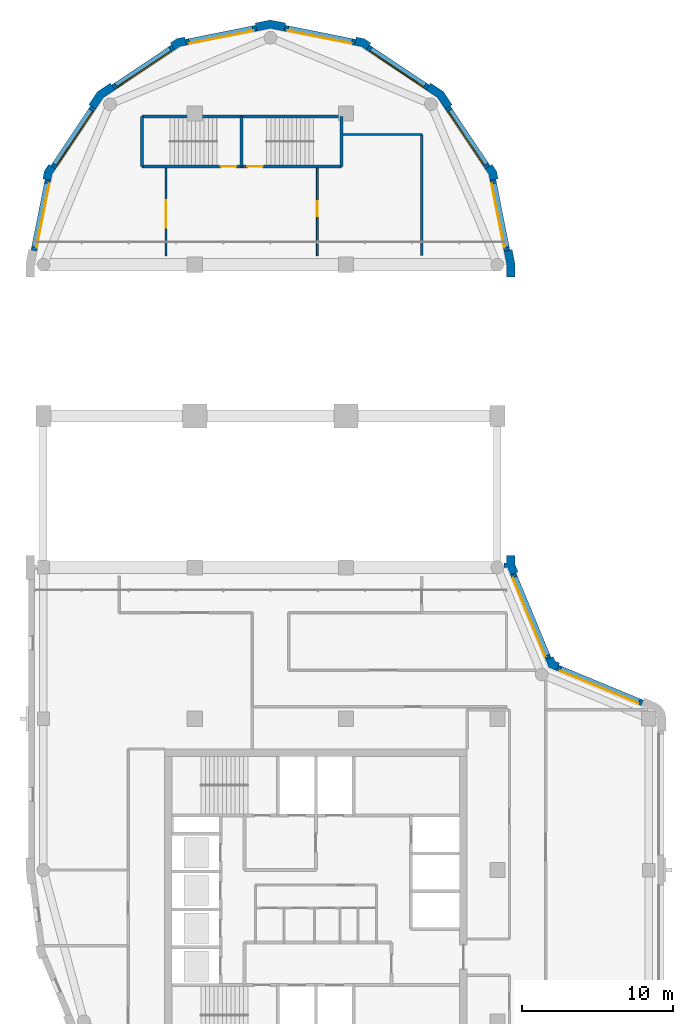
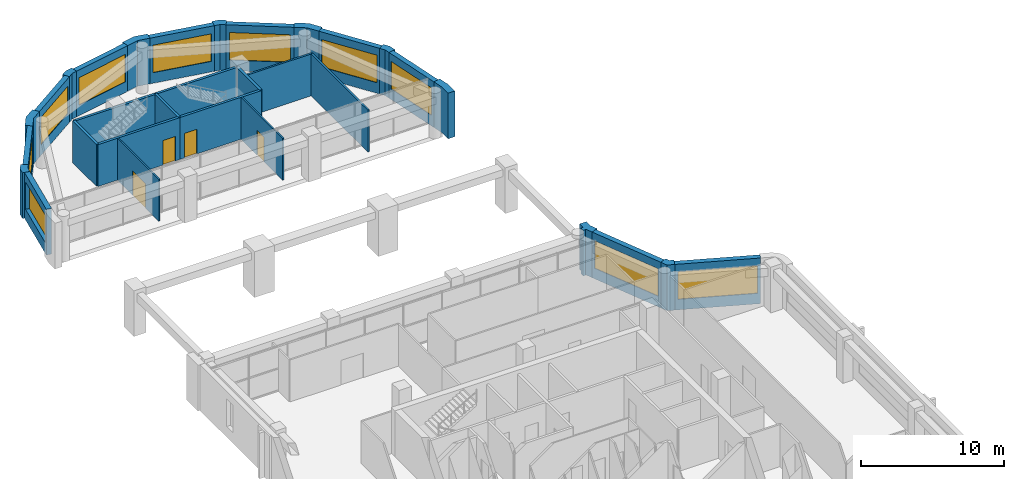
# One storey, part 8 of 11: 31 walls, 10 windows, 4 doors, 14 openings.
"""IFC4 building model written with IfcOpenShell, lengths in metres."""

import ifcopenshell
import ifcopenshell.guid

model = None  # the IFC model being written
_history = None  # IfcOwnerHistory: only IFC2X3 demands one
_inside = {}  # id of a spatial element -> (the spatial element, [elements in it])
_under = {}  # id of a project, library or spatial element -> (it, [spatial elements below it])
_declared = {}  # id of a project -> (the project, [libraries it declares])
_typed = {}  # id of a type object -> (the type object, [elements of that type])
_made_of = {}  # id of a material, layer set ... -> (it, [elements and type objects made of it])


def new_model(schema):
    """Start an empty IFC model of exactly this schema.

    Asked for "IFC4X3", IfcOpenShell would pick the latest addendum, in which some entities
    have other attributes; the version numbers below select the first issue.
    IFC2X3 requires an IfcOwnerHistory on every rooted entity: one is made here for all.
    """
    global model, _history
    if schema == "IFC4X3":
        model = ifcopenshell.file(schema_version=(4, 3, 0, 0))
    else:
        model = ifcopenshell.file(schema=schema)
    _inside.clear()
    _under.clear()
    _declared.clear()
    _typed.clear()
    _made_of.clear()
    _history = None
    if model.schema == "IFC2X3":
        org = make("IfcOrganization", Name="unknown")
        user = make(
            "IfcPersonAndOrganization",
            ThePerson=make("IfcPerson", FamilyName="unknown"),
            TheOrganization=org,
        )
        app = make(
            "IfcApplication",
            ApplicationDeveloper=org,
            Version="unknown",
            ApplicationFullName="unknown",
            ApplicationIdentifier="unknown",
        )
        _history = make(
            "IfcOwnerHistory",
            OwningUser=user,
            OwningApplication=app,
            ChangeAction="ADDED",
            CreationDate=0,
        )
    return model


def make(cls, **values):
    """One entity of the class cls with the attributes given. An attribute that is None is left unset."""
    return model.create_entity(
        cls, **{name: value for name, value in values.items() if value is not None}
    )


def rooted(cls, **values):
    """An entity with a GlobalId (a new one), such as an element, a storey or a relation."""
    return make(cls, GlobalId=ifcopenshell.guid.new(), OwnerHistory=_history, **values)


def si_unit(unit_type, name, prefix=None):
    """IfcSIUnit, for example si_unit("LENGTHUNIT", "METRE", prefix="MILLI")."""
    return make("IfcSIUnit", UnitType=unit_type, Prefix=prefix, Name=name)


def assignment(units):
    """IfcUnitAssignment: the units of a project."""
    return None if units is None else make("IfcUnitAssignment", Units=units)


def point(xyz):
    """IfcCartesianPoint."""
    return None if xyz is None else make("IfcCartesianPoint", Coordinates=xyz)


def direction(xyz):
    """IfcDirection."""
    return None if xyz is None else make("IfcDirection", DirectionRatios=xyz)


def frame(location, z_axis=None, x_axis=None):
    """IfcAxis2Placement3D, a coordinate frame: its origin and axes. An axis left out is left unset."""
    return make(
        "IfcAxis2Placement3D",
        Location=point(location),
        Axis=direction(z_axis),
        RefDirection=direction(x_axis),
    )


def frame_2d(location, x_axis=None):
    """IfcAxis2Placement2D, a coordinate frame in the plane: its origin and x axis."""
    return make(
        "IfcAxis2Placement2D", Location=point(location), RefDirection=direction(x_axis)
    )


def origin():
    """The frame at (0, 0, 0) with its axes left unset."""
    return frame((0.0, 0.0, 0.0))


def place(relative_to, where):
    """IfcLocalPlacement: puts the frame where relative to a parent placement (None: the world)."""
    return make(
        "IfcLocalPlacement", PlacementRelTo=relative_to, RelativePlacement=where
    )


def context(
    kind, dimensions, precision=None, world=None, true_north=None, identifier=None
):
    """IfcGeometricRepresentationContext, for example the 3D "Model" context."""
    return make(
        "IfcGeometricRepresentationContext",
        ContextIdentifier=identifier,
        ContextType=kind,
        CoordinateSpaceDimension=dimensions,
        Precision=precision,
        WorldCoordinateSystem=world,
        TrueNorth=true_north,
    )


def subcontext(parent, identifier, kind, view, scale=None):
    """IfcGeometricRepresentationSubContext, for example "Body" below "Model"."""
    return make(
        "IfcGeometricRepresentationSubContext",
        ContextIdentifier=identifier,
        ContextType=kind,
        ParentContext=parent,
        TargetScale=scale,
        TargetView=view,
    )


def project(units=None, contexts=None):
    """IfcProject with its units and contexts."""
    return rooted(
        "IfcProject",
        Name="project",
        RepresentationContexts=contexts,
        UnitsInContext=assignment(units),
    )


def spatial(cls, under=None, at=None, **own):
    """A site, building, storey or space (cls), placed at a placement, below another one or the project."""
    s = rooted(cls, ObjectPlacement=at, **own)
    if under is not None:
        _under.setdefault(under.id(), (under, []))[1].append(s)
    return s


def polyline(points):
    """IfcPolyline through the points."""
    return make("IfcPolyline", Points=[point(p) for p in points])


def profile(cls, at=None, kind="AREA", **sizes):
    """A parametric profile (cls). Its sizes go by their IFC names, for example OverallWidth=200.0."""
    return make(cls, ProfileType=kind, Position=at, **sizes)


def rectangle(**sizes):
    """IfcRectangleProfileDef."""
    return profile("IfcRectangleProfileDef", **sizes)


def outline(outer, holes=None, kind="AREA"):
    """IfcArbitraryClosedProfileDef: a profile drawn as a closed curve; with holes, ...WithVoids."""
    if holes is None:
        return make("IfcArbitraryClosedProfileDef", ProfileType=kind, OuterCurve=outer)
    return make(
        "IfcArbitraryProfileDefWithVoids",
        ProfileType=kind,
        OuterCurve=outer,
        InnerCurves=holes,
    )


def extrude(swept, where, along, depth):
    """IfcExtrudedAreaSolid: the profile swept, set in the frame where, extruded along a direction by depth."""
    return make(
        "IfcExtrudedAreaSolid",
        SweptArea=swept,
        Position=where,
        ExtrudedDirection=direction(along),
        Depth=depth,
    )


def shape(context_of_items, identifier, shape_type, items):
    """IfcShapeRepresentation: the items that make up one representation, for example the "Body"."""
    return make(
        "IfcShapeRepresentation",
        ContextOfItems=context_of_items,
        RepresentationIdentifier=identifier,
        RepresentationType=shape_type,
        Items=items,
    )


def material(Name=None, Category=None):
    """IfcMaterial."""
    return make("IfcMaterial", Name=Name, Category=Category)


def layer(
    of_material, thickness, ventilated=None, Name=None, Category=None, Priority=None
):
    """IfcMaterialLayer: one layer of a wall or slab, of a material (None: an air gap)."""
    return make(
        "IfcMaterialLayer",
        Material=of_material,
        LayerThickness=thickness,
        IsVentilated=ventilated,
        Name=Name,
        Category=Category,
        Priority=Priority,
    )


def layer_set(layers, Name=None):
    """IfcMaterialLayerSet."""
    return make("IfcMaterialLayerSet", MaterialLayers=layers, LayerSetName=Name)


def made_of(thing, what):
    """Note that an element or type object is made of a material, layer set ...; save() writes the relation."""
    if what is not None:
        _made_of.setdefault(what.id(), (what, []))[1].append(thing)
    return thing


def type_object(cls, material=None, **own):
    """A type object (cls), such as IfcWallType, which elements share."""
    return made_of(rooted(cls, **own), material)


def element(
    cls,
    number,
    at=None,
    inside=None,
    cuts=None,
    type_object=None,
    material=None,
    context=None,
    identifier="Body",
    shape_type=None,
    held_by="IfcProductDefinitionShape",
    body=None,
    shapes=None,
    **own,
):
    """One element of the class cls, such as IfcWall. Its Tag is "e" and its number.

    at: its placement. inside: the storey or other place that contains it. cuts: it is an
    opening in that element (IfcRelVoidsElement). A single representation is given by context,
    identifier, shape_type and body (its items); several are given by shapes. held_by: the class
    of the entity that holds the representations. save() writes the other relations.
    """
    e = rooted(cls, Tag="e%d" % number, ObjectPlacement=at, **own)
    if body is not None:
        shapes = [shape(context, identifier, shape_type, body)]
    if shapes is not None:
        e.Representation = make(held_by, Representations=shapes)
    if inside is not None:
        _inside.setdefault(inside.id(), (inside, []))[1].append(e)
    if cuts is not None:
        rooted(
            "IfcRelVoidsElement", RelatingBuildingElement=cuts, RelatedOpeningElement=e
        )
    if type_object is not None:
        _typed.setdefault(type_object.id(), (type_object, []))[1].append(e)
    return made_of(e, material)


def fill(opening, filler):
    """IfcRelFillsElement: the door or window that sits in an opening."""
    return rooted(
        "IfcRelFillsElement",
        RelatingOpeningElement=opening,
        RelatedBuildingElement=filler,
    )


def aggregate(whole, parts):
    """IfcRelAggregates: a whole, such as a stair, and the parts it consists of."""
    return rooted("IfcRelAggregates", RelatingObject=whole, RelatedObjects=parts)


def save(model, path):
    """Write the relations noted so far, then the file.

    IfcRelAggregates (storeys below a building ...), IfcRelContainedInSpatialStructure (elements
    in a storey), IfcRelDefinesByType, IfcRelAssociatesMaterial and IfcRelDeclares: one each for
    every whole, place, type object, material and project.
    """
    for whole, parts in _under.values():
        aggregate(whole, parts)
    for where, things in _inside.values():
        rooted(
            "IfcRelContainedInSpatialStructure",
            RelatedElements=things,
            RelatingStructure=where,
        )
    for kind, things in _typed.values():
        rooted("IfcRelDefinesByType", RelatedObjects=things, RelatingType=kind)
    for what, things in _made_of.values():
        rooted("IfcRelAssociatesMaterial", RelatedObjects=things, RelatingMaterial=what)
    for by, libraries in _declared.values():
        rooted("IfcRelDeclares", RelatingContext=by, RelatedDefinitions=libraries)
    model.write(path)


model = new_model("IFC4")

# Units and contexts
model_context = context("Model", 3, precision=1e-05, world=origin(), true_north=direction((0.0, 1.0)))
body_context = subcontext(model_context, "Body", "Model", "MODEL_VIEW")
ifc_project = project(units=[si_unit("LENGTHUNIT", "METRE"), si_unit("AREAUNIT", "SQUARE_METRE"), si_unit("VOLUMEUNIT", "CUBIC_METRE"), si_unit("PLANEANGLEUNIT", "RADIAN"), si_unit("MASSUNIT", "GRAM", prefix="KILO")], contexts=[model_context])

# Site, building, storey
site_placement = place(None, origin())
site = spatial("IfcSite", under=ifc_project, at=site_placement, CompositionType="ELEMENT")
building_placement = place(site_placement, origin())
building = spatial("IfcBuilding", under=site, at=building_placement, Name="Qaws Garden Tower", CompositionType="ELEMENT")
storey_placement = place(building_placement, frame((0.0, 0.0, 325.5)))
storey = spatial("IfcBuildingStorey", under=building, at=storey_placement, Name="L79", CompositionType="ELEMENT", Elevation=325.5)

# Wall, opening, window
ifc_material_1 = material(Name="Clay facing brick masonry", Category="masonry")
ifc_layer_1 = layer(ifc_material_1, 0.39990234375)
ifc_layer_set_1 = layer_set([ifc_layer_1], Name="Clay facing brick masonry")
wall_type_1 = type_object("IfcWallType", Name="Brick infill wall 400", PredefinedType="SOLIDWALL", material=ifc_layer_set_1)
wall_1_placement = place(storey_placement, frame((39.56689453125, 31.04541015625, 0.0), z_axis=(0.0, 0.0, 1.0), x_axis=(-0.923891000409, 0.382655745237, 0.0)))
wall_1 = element("IfcWall", 1, at=wall_1_placement, inside=storey, type_object=wall_type_1, Name="E-L79-infill-05", PredefinedType="SOLIDWALL", context=body_context, shape_type="SweptSolid", body=[
    extrude(rectangle(XDim=6.053466796875, YDim=0.39990234375, at=frame_2d((3.02685546875, 0.0))), origin(), (0.0, 0.0, 1.0), 3.89990234375),
])
opening_1_placement = place(wall_1_placement, frame((0.226806640625, 0.0, 0.89990234375)))
opening_1 = element("IfcOpeningElement", 2, at=opening_1_placement, cuts=wall_1, Name="Opening W04", PredefinedType="OPENING", context=body_context, shape_type="SweptSolid", body=[
    extrude(rectangle(XDim=5.60009765625, YDim=2.35009765625, at=frame_2d((2.800048828125, 1.175048828125))), frame((0.0, 0.2099609375, 0.0), z_axis=(0.0, -1.0, 0.0), x_axis=(1.0, 0.0, 0.0)), (0.0, 0.0, 1.0), 0.419921875),
])
ifc_material_2 = material(Name="Aluminium framed window, clear glazing", Category="aluminium")
window_type_1 = type_object("IfcWindowType", Name="Ribbon window 5600 x 2350", PartitioningType="DOUBLE_PANEL_VERTICAL", PredefinedType="WINDOW", material=ifc_material_2)
window_1_placement = place(opening_1_placement, origin())
window_1 = element("IfcWindow", 3, at=window_1_placement, inside=storey, type_object=window_type_1, Name="E-L79-window-05-0", OverallHeight=2.35009765625, OverallWidth=5.60009765625, PartitioningType="SINGLE_PANEL", PredefinedType="WINDOW", context=body_context, shape_type="SweptSolid", body=[
    extrude(rectangle(XDim=5.60009765625, YDim=2.35009765625, at=frame_2d((2.800048828125, 1.175048828125))), frame((0.0, 0.159912109375, 0.0), z_axis=(0.0, -1.0, 0.0), x_axis=(1.0, 0.0, 0.0)), (0.0, 0.0, 1.0), 0.06005859375),
])
fill(opening_1, window_1)

wall_2_placement = place(storey_placement, frame((33.36181640625, 33.97412109375, 0.0), z_axis=(0.0, 0.0, 1.0), x_axis=(-0.382655745237, 0.923891000409, 0.0)))
wall_2 = element("IfcWall", 4, at=wall_2_placement, inside=storey, type_object=wall_type_1, Name="E-L79-infill-06", PredefinedType="SOLIDWALL", context=body_context, shape_type="SweptSolid", body=[
    extrude(rectangle(XDim=6.053466796875, YDim=0.39990234375, at=frame_2d((3.02685546875, 0.0))), origin(), (0.0, 0.0, 1.0), 3.89990234375),
])
opening_2_placement = place(wall_2_placement, frame((0.226806640625, 0.0, 0.89990234375)))
opening_2 = element("IfcOpeningElement", 5, at=opening_2_placement, cuts=wall_2, Name="Opening W04", PredefinedType="OPENING", context=body_context, shape_type="SweptSolid", body=[
    extrude(rectangle(XDim=5.60009765625, YDim=2.35009765625, at=frame_2d((2.800048828125, 1.175048828125))), frame((0.0, 0.2099609375, 0.0), z_axis=(0.0, -1.0, 0.0), x_axis=(1.0, 0.0, 0.0)), (0.0, 0.0, 1.0), 0.419921875),
])
window_2_placement = place(opening_2_placement, origin())
window_2 = element("IfcWindow", 6, at=window_2_placement, inside=storey, type_object=window_type_1, Name="E-L79-window-06-0", OverallHeight=2.35009765625, OverallWidth=5.60009765625, PartitioningType="SINGLE_PANEL", PredefinedType="WINDOW", context=body_context, shape_type="SweptSolid", body=[
    extrude(rectangle(XDim=5.60009765625, YDim=2.35009765625, at=frame_2d((2.800048828125, 1.175048828125))), frame((0.0, 0.159912109375, 0.0), z_axis=(0.0, -1.0, 0.0), x_axis=(1.0, 0.0, 0.0)), (0.0, 0.0, 1.0), 0.06005859375),
])
fill(opening_2, window_2)

wall_3_placement = place(storey_placement, frame((30.628662109375, 60.940673828125, 0.0), z_axis=(0.0, 0.0, 1.0), x_axis=(-0.195098533057, 0.98078364709, 0.0)))
wall_3 = element("IfcWall", 7, at=wall_3_placement, inside=storey, type_object=wall_type_1, Name="E-L79-infill-09", PredefinedType="SOLIDWALL", context=body_context, shape_type="SweptSolid", body=[
    extrude(rectangle(XDim=4.752685546875, YDim=0.39990234375, at=frame_2d((2.37646484375, 0.0))), origin(), (0.0, 0.0, 1.0), 3.89990234375),
])
opening_3_placement = place(wall_3_placement, frame((0.226318359375, 0.0, 0.89990234375)))
opening_3 = element("IfcOpeningElement", 8, at=opening_3_placement, cuts=wall_3, Name="Opening W06", PredefinedType="OPENING", context=body_context, shape_type="SweptSolid", body=[
    extrude(rectangle(XDim=4.300048828125, YDim=2.35009765625, at=frame_2d((2.14990234375, 1.175048828125))), frame((0.0, 0.2099609375, 0.0), z_axis=(0.0, -1.0, 0.0), x_axis=(1.0, 0.0, 0.0)), (0.0, 0.0, 1.0), 0.419921875),
])
ifc_material_3 = material(Name="Aluminium framed window, clear glazing", Category="aluminium")
window_type_2 = type_object("IfcWindowType", Name="Ribbon window 4300 x 2350", PartitioningType="DOUBLE_PANEL_VERTICAL", PredefinedType="WINDOW", material=ifc_material_3)
window_3_placement = place(opening_3_placement, origin())
window_3 = element("IfcWindow", 9, at=window_3_placement, inside=storey, type_object=window_type_2, Name="E-L79-window-09-0", OverallHeight=2.35009765625, OverallWidth=4.300048828125, PartitioningType="SINGLE_PANEL", PredefinedType="WINDOW", context=body_context, shape_type="SweptSolid", body=[
    extrude(rectangle(XDim=4.300048828125, YDim=2.35009765625, at=frame_2d((2.14990234375, 1.175048828125))), frame((0.0, 0.159912109375, 0.0), z_axis=(0.0, -1.0, 0.0), x_axis=(1.0, 0.0, 0.0)), (0.0, 0.0, 1.0), 0.06005859375),
])
fill(opening_3, window_3)

wall_4_placement = place(storey_placement, frame((29.356689453125, 66.43408203125, 0.0), z_axis=(0.0, 0.0, 1.0), x_axis=(-0.555541552266, 0.831488775454, 0.0)))
wall_4 = element("IfcWall", 10, at=wall_4_placement, inside=storey, type_object=wall_type_1, Name="E-L79-infill-10", PredefinedType="SOLIDWALL", context=body_context, shape_type="SweptSolid", body=[
    extrude(rectangle(XDim=4.752685546875, YDim=0.39990234375, at=frame_2d((2.37646484375, 0.0))), origin(), (0.0, 0.0, 1.0), 3.89990234375),
])
opening_4_placement = place(wall_4_placement, frame((0.226318359375, 0.0, 0.89990234375)))
opening_4 = element("IfcOpeningElement", 11, at=opening_4_placement, cuts=wall_4, Name="Opening W06", PredefinedType="OPENING", context=body_context, shape_type="SweptSolid", body=[
    extrude(rectangle(XDim=4.300048828125, YDim=2.35009765625, at=frame_2d((2.14990234375, 1.175048828125))), frame((0.0, 0.2099609375, 0.0), z_axis=(0.0, -1.0, 0.0), x_axis=(1.0, 0.0, 0.0)), (0.0, 0.0, 1.0), 0.419921875),
])
window_4_placement = place(opening_4_placement, origin())
window_4 = element("IfcWindow", 12, at=window_4_placement, inside=storey, type_object=window_type_2, Name="E-L79-window-10-0", OverallHeight=2.35009765625, OverallWidth=4.300048828125, PartitioningType="SINGLE_PANEL", PredefinedType="WINDOW", context=body_context, shape_type="SweptSolid", body=[
    extrude(rectangle(XDim=4.300048828125, YDim=2.35009765625, at=frame_2d((2.14990234375, 1.175048828125))), frame((0.0, 0.159912109375, 0.0), z_axis=(0.0, -1.0, 0.0), x_axis=(1.0, 0.0, 0.0)), (0.0, 0.0, 1.0), 0.06005859375),
])
fill(opening_4, window_4)

wall_5_placement = place(storey_placement, frame((25.385986328125, 71.71630859375, 0.0), z_axis=(0.0, 0.0, 1.0), x_axis=(-0.831488775454, 0.555541552266, 0.0)))
wall_5 = element("IfcWall", 13, at=wall_5_placement, inside=storey, type_object=wall_type_1, Name="E-L79-infill-11", PredefinedType="SOLIDWALL", context=body_context, shape_type="SweptSolid", body=[
    extrude(rectangle(XDim=4.752685546875, YDim=0.39990234375, at=frame_2d((2.37646484375, 0.0))), origin(), (0.0, 0.0, 1.0), 3.89990234375),
])
opening_5_placement = place(wall_5_placement, frame((0.226318359375, 0.0, 0.89990234375)))
opening_5 = element("IfcOpeningElement", 14, at=opening_5_placement, cuts=wall_5, Name="Opening W06", PredefinedType="OPENING", context=body_context, shape_type="SweptSolid", body=[
    extrude(rectangle(XDim=4.300048828125, YDim=2.35009765625, at=frame_2d((2.14990234375, 1.175048828125))), frame((0.0, 0.2099609375, 0.0), z_axis=(0.0, -1.0, 0.0), x_axis=(1.0, 0.0, 0.0)), (0.0, 0.0, 1.0), 0.419921875),
])
window_5_placement = place(opening_5_placement, origin())
window_5 = element("IfcWindow", 15, at=window_5_placement, inside=storey, type_object=window_type_2, Name="E-L79-window-11-0", OverallHeight=2.35009765625, OverallWidth=4.300048828125, PartitioningType="SINGLE_PANEL", PredefinedType="WINDOW", context=body_context, shape_type="SweptSolid", body=[
    extrude(rectangle(XDim=4.300048828125, YDim=2.35009765625, at=frame_2d((2.14990234375, 1.175048828125))), frame((0.0, 0.159912109375, 0.0), z_axis=(0.0, -1.0, 0.0), x_axis=(1.0, 0.0, 0.0)), (0.0, 0.0, 1.0), 0.06005859375),
])
fill(opening_5, window_5)

wall_6_placement = place(storey_placement, frame((20.60205078125, 74.701416015625, 0.0), z_axis=(0.0, 0.0, 1.0), x_axis=(-0.98078364709, 0.195098533057, 0.0)))
wall_6 = element("IfcWall", 16, at=wall_6_placement, inside=storey, type_object=wall_type_1, Name="E-L79-infill-12", PredefinedType="SOLIDWALL", context=body_context, shape_type="SweptSolid", body=[
    extrude(rectangle(XDim=4.752685546875, YDim=0.39990234375, at=frame_2d((2.37646484375, 0.0))), origin(), (0.0, 0.0, 1.0), 3.89990234375),
])
opening_6_placement = place(wall_6_placement, frame((0.226318359375, 0.0, 0.89990234375)))
opening_6 = element("IfcOpeningElement", 17, at=opening_6_placement, cuts=wall_6, Name="Opening W06", PredefinedType="OPENING", context=body_context, shape_type="SweptSolid", body=[
    extrude(rectangle(XDim=4.300048828125, YDim=2.35009765625, at=frame_2d((2.14990234375, 1.175048828125))), frame((0.0, 0.2099609375, 0.0), z_axis=(0.0, -1.0, 0.0), x_axis=(1.0, 0.0, 0.0)), (0.0, 0.0, 1.0), 0.419921875),
])
window_6_placement = place(opening_6_placement, origin())
window_6 = element("IfcWindow", 18, at=window_6_placement, inside=storey, type_object=window_type_2, Name="E-L79-window-12-0", OverallHeight=2.35009765625, OverallWidth=4.300048828125, PartitioningType="SINGLE_PANEL", PredefinedType="WINDOW", context=body_context, shape_type="SweptSolid", body=[
    extrude(rectangle(XDim=4.300048828125, YDim=2.35009765625, at=frame_2d((2.14990234375, 1.175048828125))), frame((0.0, 0.159912109375, 0.0), z_axis=(0.0, -1.0, 0.0), x_axis=(1.0, 0.0, 0.0)), (0.0, 0.0, 1.0), 0.06005859375),
])
fill(opening_6, window_6)

wall_7_placement = place(storey_placement, frame((14.059326171875, 75.628662109375, 0.0), z_axis=(0.0, 0.0, 1.0), x_axis=(-0.98078364709, -0.195098533057, 0.0)))
wall_7 = element("IfcWall", 19, at=wall_7_placement, inside=storey, type_object=wall_type_1, Name="E-L79-infill-13", PredefinedType="SOLIDWALL", context=body_context, shape_type="SweptSolid", body=[
    extrude(rectangle(XDim=4.752685546875, YDim=0.39990234375, at=frame_2d((2.37646484375, 0.0))), origin(), (0.0, 0.0, 1.0), 3.89990234375),
])
opening_7_placement = place(wall_7_placement, frame((0.226318359375, 0.0, 0.89990234375)))
opening_7 = element("IfcOpeningElement", 20, at=opening_7_placement, cuts=wall_7, Name="Opening W06", PredefinedType="OPENING", context=body_context, shape_type="SweptSolid", body=[
    extrude(rectangle(XDim=4.300048828125, YDim=2.35009765625, at=frame_2d((2.14990234375, 1.175048828125))), frame((0.0, 0.2099609375, 0.0), z_axis=(0.0, -1.0, 0.0), x_axis=(1.0, 0.0, 0.0)), (0.0, 0.0, 1.0), 0.419921875),
])
window_7_placement = place(opening_7_placement, origin())
window_7 = element("IfcWindow", 21, at=window_7_placement, inside=storey, type_object=window_type_2, Name="E-L79-window-13-0", OverallHeight=2.35009765625, OverallWidth=4.300048828125, PartitioningType="SINGLE_PANEL", PredefinedType="WINDOW", context=body_context, shape_type="SweptSolid", body=[
    extrude(rectangle(XDim=4.300048828125, YDim=2.35009765625, at=frame_2d((2.14990234375, 1.175048828125))), frame((0.0, 0.159912109375, 0.0), z_axis=(0.0, -1.0, 0.0), x_axis=(1.0, 0.0, 0.0)), (0.0, 0.0, 1.0), 0.06005859375),
])
fill(opening_7, window_7)

wall_8_placement = place(storey_placement, frame((8.56591796875, 74.356689453125, 0.0), z_axis=(0.0, 0.0, 1.0), x_axis=(-0.831488775454, -0.555541552266, 0.0)))
wall_8 = element("IfcWall", 22, at=wall_8_placement, inside=storey, type_object=wall_type_1, Name="E-L79-infill-14", PredefinedType="SOLIDWALL", context=body_context, shape_type="SweptSolid", body=[
    extrude(rectangle(XDim=4.752685546875, YDim=0.39990234375, at=frame_2d((2.37646484375, 0.0))), origin(), (0.0, 0.0, 1.0), 3.89990234375),
])
opening_8_placement = place(wall_8_placement, frame((0.226318359375, 0.0, 0.89990234375)))
opening_8 = element("IfcOpeningElement", 23, at=opening_8_placement, cuts=wall_8, Name="Opening W06", PredefinedType="OPENING", context=body_context, shape_type="SweptSolid", body=[
    extrude(rectangle(XDim=4.300048828125, YDim=2.35009765625, at=frame_2d((2.14990234375, 1.175048828125))), frame((0.0, 0.2099609375, 0.0), z_axis=(0.0, -1.0, 0.0), x_axis=(1.0, 0.0, 0.0)), (0.0, 0.0, 1.0), 0.419921875),
])
window_8_placement = place(opening_8_placement, origin())
window_8 = element("IfcWindow", 24, at=window_8_placement, inside=storey, type_object=window_type_2, Name="E-L79-window-14-0", OverallHeight=2.35009765625, OverallWidth=4.300048828125, PartitioningType="SINGLE_PANEL", PredefinedType="WINDOW", context=body_context, shape_type="SweptSolid", body=[
    extrude(rectangle(XDim=4.300048828125, YDim=2.35009765625, at=frame_2d((2.14990234375, 1.175048828125))), frame((0.0, 0.159912109375, 0.0), z_axis=(0.0, -1.0, 0.0), x_axis=(1.0, 0.0, 0.0)), (0.0, 0.0, 1.0), 0.06005859375),
])
fill(opening_8, window_8)

wall_9_placement = place(storey_placement, frame((3.28369140625, 70.385986328125, 0.0), z_axis=(0.0, 0.0, 1.0), x_axis=(-0.555541552266, -0.831488775454, 0.0)))
wall_9 = element("IfcWall", 25, at=wall_9_placement, inside=storey, type_object=wall_type_1, Name="E-L79-infill-15", PredefinedType="SOLIDWALL", context=body_context, shape_type="SweptSolid", body=[
    extrude(rectangle(XDim=4.752685546875, YDim=0.39990234375, at=frame_2d((2.37646484375, 0.0))), origin(), (0.0, 0.0, 1.0), 3.89990234375),
])
opening_9_placement = place(wall_9_placement, frame((0.226318359375, 0.0, 0.89990234375)))
opening_9 = element("IfcOpeningElement", 26, at=opening_9_placement, cuts=wall_9, Name="Opening W06", PredefinedType="OPENING", context=body_context, shape_type="SweptSolid", body=[
    extrude(rectangle(XDim=4.300048828125, YDim=2.35009765625, at=frame_2d((2.14990234375, 1.175048828125))), frame((0.0, 0.2099609375, 0.0), z_axis=(0.0, -1.0, 0.0), x_axis=(1.0, 0.0, 0.0)), (0.0, 0.0, 1.0), 0.419921875),
])
window_9_placement = place(opening_9_placement, origin())
window_9 = element("IfcWindow", 27, at=window_9_placement, inside=storey, type_object=window_type_2, Name="E-L79-window-15-0", OverallHeight=2.35009765625, OverallWidth=4.300048828125, PartitioningType="SINGLE_PANEL", PredefinedType="WINDOW", context=body_context, shape_type="SweptSolid", body=[
    extrude(rectangle(XDim=4.300048828125, YDim=2.35009765625, at=frame_2d((2.14990234375, 1.175048828125))), frame((0.0, 0.159912109375, 0.0), z_axis=(0.0, -1.0, 0.0), x_axis=(1.0, 0.0, 0.0)), (0.0, 0.0, 1.0), 0.06005859375),
])
fill(opening_9, window_9)

wall_10_placement = place(storey_placement, frame((0.298583984375, 65.60205078125, 0.0), z_axis=(0.0, 0.0, 1.0), x_axis=(-0.195098533057, -0.98078364709, 0.0)))
wall_10 = element("IfcWall", 28, at=wall_10_placement, inside=storey, type_object=wall_type_1, Name="E-L79-infill-16", PredefinedType="SOLIDWALL", context=body_context, shape_type="SweptSolid", body=[
    extrude(rectangle(XDim=4.752685546875, YDim=0.39990234375, at=frame_2d((2.37646484375, 0.0))), origin(), (0.0, 0.0, 1.0), 3.89990234375),
])
opening_10_placement = place(wall_10_placement, frame((0.226318359375, 0.0, 0.89990234375)))
opening_10 = element("IfcOpeningElement", 29, at=opening_10_placement, cuts=wall_10, Name="Opening W06", PredefinedType="OPENING", context=body_context, shape_type="SweptSolid", body=[
    extrude(rectangle(XDim=4.300048828125, YDim=2.35009765625, at=frame_2d((2.14990234375, 1.175048828125))), frame((0.0, 0.2099609375, 0.0), z_axis=(0.0, -1.0, 0.0), x_axis=(1.0, 0.0, 0.0)), (0.0, 0.0, 1.0), 0.419921875),
])
window_10_placement = place(opening_10_placement, origin())
window_10 = element("IfcWindow", 30, at=window_10_placement, inside=storey, type_object=window_type_2, Name="E-L79-window-16-0", OverallHeight=2.35009765625, OverallWidth=4.300048828125, PartitioningType="SINGLE_PANEL", PredefinedType="WINDOW", context=body_context, shape_type="SweptSolid", body=[
    extrude(rectangle(XDim=4.300048828125, YDim=2.35009765625, at=frame_2d((2.14990234375, 1.175048828125))), frame((0.0, 0.159912109375, 0.0), z_axis=(0.0, -1.0, 0.0), x_axis=(1.0, 0.0, 0.0)), (0.0, 0.0, 1.0), 0.06005859375),
])
fill(opening_10, window_10)

# Walls
ifc_material_4 = material(Name="Clay facing brick masonry", Category="masonry")
ifc_layer_2 = layer(ifc_material_4, 0.550048828125)
ifc_layer_set_2 = layer_set([ifc_layer_2], Name="Clay facing brick masonry")
wall_type_2 = type_object("IfcWallType", Name="Brick kink pier 550 x 600", PredefinedType="SOLIDWALL", material=ifc_layer_set_2)
placement = place(storey_placement, origin())
element("IfcWall", 31, at=placement, inside=storey, type_object=wall_type_2, Name="E-L79-pier-10", PredefinedType="SOLIDWALL", context=body_context, shape_type="SweptSolid", body=[
    extrude(outline(polyline([(29.8974609375, 65.64111328125), (30.044677734375, 65.67041015625), (29.94140625, 66.18896484375), (29.647705078125, 66.628662109375), (29.52294921875, 66.545166015625), (29.1904296875, 66.322998046875), (29.42333984375, 65.974365234375), (29.505126953125, 65.56298828125), (29.8974609375, 65.64111328125)])), origin(), (0.0, 0.0, 1.0), 3.89990234375),
])
element("IfcWall", 32, at=placement, inside=storey, type_object=wall_type_2, Name="E-L79-pier-12", PredefinedType="SOLIDWALL", context=body_context, shape_type="SweptSolid", body=[
    extrude(outline(polyline([(21.545166015625, 74.52294921875), (21.628662109375, 74.647705078125), (21.18896484375, 74.94140625), (20.67041015625, 75.044677734375), (20.64111328125, 74.8974609375), (20.56298828125, 74.505126953125), (20.974365234375, 74.42333984375), (21.322998046875, 74.1904296875), (21.545166015625, 74.52294921875)])), origin(), (0.0, 0.0, 1.0), 3.89990234375),
])
element("IfcWall", 33, at=placement, inside=storey, type_object=wall_type_2, Name="E-L79-pier-14", PredefinedType="SOLIDWALL", context=body_context, shape_type="SweptSolid", body=[
    extrude(outline(polyline([(9.35888671875, 74.8974609375), (9.32958984375, 75.044677734375), (8.81103515625, 74.94140625), (8.371337890625, 74.647705078125), (8.454833984375, 74.52294921875), (8.677001953125, 74.1904296875), (9.025634765625, 74.42333984375), (9.43701171875, 74.505126953125), (9.35888671875, 74.8974609375)])), origin(), (0.0, 0.0, 1.0), 3.89990234375),
])
element("IfcWall", 34, at=placement, inside=storey, type_object=wall_type_2, Name="E-L79-pier-16", PredefinedType="SOLIDWALL", context=body_context, shape_type="SweptSolid", body=[
    extrude(outline(polyline([(0.47705078125, 66.545166015625), (0.352294921875, 66.628662109375), (0.05859375, 66.18896484375), (-0.044677734375, 65.67041015625), (0.1025390625, 65.64111328125), (0.494873046875, 65.56298828125), (0.57666015625, 65.974365234375), (0.8095703125, 66.322998046875), (0.47705078125, 66.545166015625)])), origin(), (0.0, 0.0, 1.0), 3.89990234375),
])
ifc_material_5 = material(Name="Clay facing brick masonry", Category="masonry")
ifc_layer_3 = layer(ifc_material_5, 0.550048828125)
ifc_layer_set_3 = layer_set([ifc_layer_3], Name="Clay facing brick masonry")
wall_type_3 = type_object("IfcWallType", Name="Brick pier 550 x 1600", PredefinedType="SOLIDWALL", material=ifc_layer_set_3)
element("IfcWall", 35, at=placement, inside=storey, type_object=wall_type_3, Name="E-L79-pier-06", PredefinedType="SOLIDWALL", context=body_context, shape_type="SweptSolid", body=[
    extrude(outline(polyline([(34.05078125, 33.546630859375), (34.108154296875, 33.685302734375), (33.80908203125, 33.80908203125), (33.685302734375, 34.108154296875), (33.546630859375, 34.05078125), (33.177001953125, 33.897705078125), (33.38818359375, 33.38818359375), (33.897705078125, 33.177001953125), (34.05078125, 33.546630859375)])), origin(), (0.0, 0.0, 1.0), 3.89990234375),
])
element("IfcWall", 36, at=placement, inside=storey, type_object=wall_type_3, Name="E-L79-pier-07", PredefinedType="SOLIDWALL", context=body_context, shape_type="SweptSolid", body=[
    extrude(outline(polyline([(30.6201171875, 39.995361328125), (30.6201171875, 40.071044921875), (30.860595703125, 39.490478515625), (31.22998046875, 39.6435546875), (31.36865234375, 39.700927734375), (31.14990234375, 40.228759765625), (31.14990234375, 40.800048828125), (31.0, 40.800048828125), (30.60009765625, 40.800048828125), (30.60009765625, 40.29541015625), (30.425048828125, 40.29541015625), (30.425048828125, 39.995361328125), (30.6201171875, 39.995361328125)])), origin(), (0.0, 0.0, 1.0), 3.89990234375),
])
element("IfcWall", 37, at=placement, inside=storey, type_object=wall_type_3, Name="E-L79-pier-09", PredefinedType="SOLIDWALL", context=body_context, shape_type="SweptSolid", body=[
    extrude(outline(polyline([(31.0, 59.199951171875), (31.14990234375, 59.199951171875), (31.14990234375, 60.11328125), (30.971923828125, 61.009033203125), (30.82470703125, 60.979736328125), (30.432373046875, 60.901611328125), (30.60009765625, 60.05908203125), (30.60009765625, 59.199951171875), (31.0, 59.199951171875)])), origin(), (0.0, 0.0, 1.0), 3.89990234375),
])
element("IfcWall", 38, at=placement, inside=storey, type_object=wall_type_3, Name="E-L79-pier-11", PredefinedType="SOLIDWALL", context=body_context, shape_type="SweptSolid", body=[
    extrude(outline(polyline([(26.882568359375, 70.4970703125), (27.00732421875, 70.580322265625), (26.435791015625, 71.435791015625), (25.580322265625, 72.00732421875), (25.4970703125, 71.882568359375), (25.274658203125, 71.550048828125), (26.0390625, 71.0390625), (26.550048828125, 70.274658203125), (26.882568359375, 70.4970703125)])), origin(), (0.0, 0.0, 1.0), 3.89990234375),
])
element("IfcWall", 39, at=placement, inside=storey, type_object=wall_type_3, Name="E-L79-pier-13", PredefinedType="SOLIDWALL", context=body_context, shape_type="SweptSolid", body=[
    extrude(outline(polyline([(15.979736328125, 75.82470703125), (16.009033203125, 75.971923828125), (15.0, 76.172607421875), (13.990966796875, 75.971923828125), (14.020263671875, 75.82470703125), (14.098388671875, 75.432373046875), (15.0, 75.61181640625), (15.901611328125, 75.432373046875), (15.979736328125, 75.82470703125)])), origin(), (0.0, 0.0, 1.0), 3.89990234375),
])
element("IfcWall", 40, at=placement, inside=storey, type_object=wall_type_3, Name="E-L79-pier-15", PredefinedType="SOLIDWALL", context=body_context, shape_type="SweptSolid", body=[
    extrude(outline(polyline([(4.5029296875, 71.882568359375), (4.419677734375, 72.00732421875), (3.564208984375, 71.435791015625), (2.99267578125, 70.580322265625), (3.117431640625, 70.4970703125), (3.449951171875, 70.274658203125), (3.9609375, 71.0390625), (4.725341796875, 71.550048828125), (4.5029296875, 71.882568359375)])), origin(), (0.0, 0.0, 1.0), 3.89990234375),
])

# Wall, opening, door
ifc_material_6 = material(Name="Concrete C60", Category="concrete")
ifc_layer_4 = layer(ifc_material_6, 0.199951171875)
ifc_layer_set_4 = layer_set([ifc_layer_4], Name="Concrete C60")
wall_type_4 = type_object("IfcWallType", Name="Core shaft wall 200 C60", PredefinedType="SHEAR", material=ifc_layer_set_4)
wall_21_placement = place(storey_placement, frame((6.5, 66.5, 0.0), z_axis=(0.0, 0.0, 1.0), x_axis=(1.0, 0.0, 0.0)))
wall_21 = element("IfcWall", 41, at=wall_21_placement, inside=storey, type_object=wall_type_4, Name="Shaft wall", PredefinedType="SHEAR", context=body_context, shape_type="SweptSolid", body=[
    extrude(rectangle(XDim=6.60009765625, YDim=0.199951171875, at=frame_2d((3.300048828125, 0.0))), origin(), (0.0, 0.0, 1.0), 3.580078125),
])
opening_11_placement = place(wall_21_placement, frame((5.22509765625, 0.0, 0.0)))
opening_11 = element("IfcOpeningElement", 42, at=opening_11_placement, cuts=wall_21, Name="Opening SD13", PredefinedType="OPENING", context=body_context, shape_type="SweptSolid", body=[
    extrude(rectangle(XDim=1.0, YDim=2.10009765625, at=frame_2d((0.5, 1.050048828125))), frame((0.0, 0.10986328125, 0.0), z_axis=(0.0, -1.0, 0.0), x_axis=(1.0, 0.0, 0.0)), (0.0, 0.0, 1.0), 0.219970703125),
])
ifc_material_7 = material(Name="Steel S235", Category="steel")
door_type_1 = type_object("IfcDoorType", Name="Stair door 1000x2100", OperationType="SINGLE_SWING_RIGHT", PredefinedType="DOOR", material=ifc_material_7)
door_1_placement = place(opening_11_placement, origin())
door_1 = element("IfcDoor", 43, at=door_1_placement, inside=storey, type_object=door_type_1, Name="Stair 6 door", OperationType="SINGLE_SWING_RIGHT", OverallHeight=2.10009765625, OverallWidth=1.0, PredefinedType="DOOR", context=body_context, shape_type="SweptSolid", body=[
    extrude(rectangle(XDim=1.0, YDim=2.10009765625, at=frame_2d((0.5, 1.050048828125))), frame((0.0, 0.02490234375, 0.0), z_axis=(0.0, -1.0, 0.0), x_axis=(1.0, 0.0, 0.0)), (0.0, 0.0, 1.0), 0.050048828125),
])
fill(opening_11, door_1)

wall_22_placement = place(storey_placement, frame((13.10009765625, 66.5, 0.0), z_axis=(0.0, 0.0, 1.0), x_axis=(1.0, 0.0, 0.0)))
wall_22 = element("IfcWall", 44, at=wall_22_placement, inside=storey, type_object=wall_type_4, Name="Shaft wall", PredefinedType="SHEAR", context=body_context, shape_type="SweptSolid", body=[
    extrude(rectangle(XDim=6.599853515625, YDim=0.199951171875, at=frame_2d((3.2998046875, 0.0))), origin(), (0.0, 0.0, 1.0), 3.580078125),
])
opening_12_placement = place(wall_22_placement, frame((0.375, 0.0, 0.0)))
opening_12 = element("IfcOpeningElement", 45, at=opening_12_placement, cuts=wall_22, Name="Opening SD14", PredefinedType="OPENING", context=body_context, shape_type="SweptSolid", body=[
    extrude(rectangle(XDim=1.0, YDim=2.10009765625, at=frame_2d((0.5, 1.050048828125))), frame((0.0, 0.10986328125, 0.0), z_axis=(0.0, -1.0, 0.0), x_axis=(1.0, 0.0, 0.0)), (0.0, 0.0, 1.0), 0.219970703125),
])
door_2_placement = place(opening_12_placement, origin())
door_2 = element("IfcDoor", 46, at=door_2_placement, inside=storey, type_object=door_type_1, Name="Stair 7 door", OperationType="SINGLE_SWING_LEFT", OverallHeight=2.10009765625, OverallWidth=1.0, PredefinedType="DOOR", context=body_context, shape_type="SweptSolid", body=[
    extrude(rectangle(XDim=1.0, YDim=2.10009765625, at=frame_2d((0.5, 1.050048828125))), frame((0.0, 0.02490234375, 0.0), z_axis=(0.0, -1.0, 0.0), x_axis=(1.0, 0.0, 0.0)), (0.0, 0.0, 1.0), 0.050048828125),
])
fill(opening_12, door_2)

# Walls
wall_23_placement = place(storey_placement, frame((6.5, 69.800048828125, 0.0), z_axis=(0.0, 0.0, 1.0), x_axis=(1.0, 0.0, 0.0)))
element("IfcWall", 47, at=wall_23_placement, inside=storey, type_object=wall_type_4, Name="Shaft wall", PredefinedType="SHEAR", context=body_context, shape_type="SweptSolid", body=[
    extrude(rectangle(XDim=6.60009765625, YDim=0.199951171875, at=frame_2d((3.300048828125, 0.0))), origin(), (0.0, 0.0, 1.0), 3.580078125),
])
wall_24_placement = place(storey_placement, frame((13.10009765625, 69.800048828125, 0.0), z_axis=(0.0, 0.0, 1.0), x_axis=(1.0, 0.0, 0.0)))
element("IfcWall", 48, at=wall_24_placement, inside=storey, type_object=wall_type_4, Name="Shaft wall", PredefinedType="SHEAR", context=body_context, shape_type="SweptSolid", body=[
    extrude(rectangle(XDim=6.599853515625, YDim=0.199951171875, at=frame_2d((3.2998046875, 0.0))), origin(), (0.0, 0.0, 1.0), 3.580078125),
])
for number, where, z_axis, x_axis, name in (
    (49, (6.5, 66.5, 0.0), (0.0, 0.0, 1.0), (0.0, 1.0, 0.0), "Shaft wall"),
    (50, (13.10009765625, 66.5, 0.0), (0.0, 0.0, 1.0), (0.0, 1.0, 0.0), "Shaft wall"),
    (51, (19.699951171875, 66.5, 0.0), (0.0, 0.0, 1.0), (0.0, 1.0, 0.0), "Shaft wall"),
):
    element("IfcWall", number, at=place(storey_placement, frame(where, z_axis=z_axis, x_axis=x_axis)), inside=storey, type_object=wall_type_4, Name=name, PredefinedType="SHEAR", context=body_context, shape_type="SweptSolid", body=[
        extrude(rectangle(XDim=3.300048828125, YDim=0.199951171875, at=frame_2d((1.64990234375, 0.0))), origin(), (0.0, 0.0, 1.0), 3.580078125),
    ])

# Wall, opening, door
ifc_material_8 = material(Name="Glass and aluminium framing", Category="aluminium")
ifc_layer_5 = layer(ifc_material_8, 0.1201171875)
ifc_layer_set_5 = layer_set([ifc_layer_5], Name="Glass and aluminium framing")
wall_type_5 = type_object("IfcWallType", Name="GLAZED PARTITION 120 EI 30", PredefinedType="PARTITIONING", material=ifc_layer_set_5)
wall_25_placement = place(storey_placement, frame((8.10009765625, 60.60009765625, 0.0), z_axis=(0.0, 0.0, 1.0), x_axis=(0.0, 1.0, 0.0)))
wall_25 = element("IfcWall", 52, at=wall_25_placement, inside=storey, type_object=wall_type_5, Name="O-L79-wall-026", PredefinedType="PARTITIONING", context=body_context, shape_type="SweptSolid", body=[
    extrude(rectangle(XDim=5.7998046875, YDim=0.1201171875, at=frame_2d((2.89990234375, 0.0))), origin(), (0.0, 0.0, 1.0), 3.580078125),
])
opening_13_placement = place(wall_25_placement, frame((1.85009765625, 0.0, 0.0)))
opening_13 = element("IfcOpeningElement", 53, at=opening_13_placement, cuts=wall_25, Name="Opening C813", PredefinedType="OPENING", context=body_context, shape_type="SweptSolid", body=[
    extrude(rectangle(XDim=1.800048828125, YDim=2.10009765625, at=frame_2d((0.89990234375, 1.050048828125))), frame((0.0, 0.070068359375, 0.0), z_axis=(0.0, -1.0, 0.0), x_axis=(1.0, 0.0, 0.0)), (0.0, 0.0, 1.0), 0.14013671875),
])
ifc_material_9 = material(Name="Timber door leaf", Category="wood")
door_type_2 = type_object("IfcDoorType", Name="DOUBLE DOOR 1800 X 2100", OperationType="DOUBLE_DOOR_SINGLE_SWING", PredefinedType="DOOR", material=ifc_material_9)
door_3_placement = place(opening_13_placement, origin())
door_3 = element("IfcDoor", 54, at=door_3_placement, inside=storey, type_object=door_type_2, Name="O-L79-door-013", OperationType="DOUBLE_DOOR_SINGLE_SWING", OverallHeight=2.10009765625, OverallWidth=1.800048828125, PredefinedType="DOOR", context=body_context, shape_type="SweptSolid", body=[
    extrude(rectangle(XDim=1.800048828125, YDim=2.10009765625, at=frame_2d((0.89990234375, 1.050048828125))), frame((0.0, 0.02490234375, 0.0), z_axis=(0.0, -1.0, 0.0), x_axis=(1.0, 0.0, 0.0)), (0.0, 0.0, 1.0), 0.050048828125),
])
fill(opening_13, door_3)

wall_26_placement = place(storey_placement, frame((18.10009765625, 60.60009765625, 0.0), z_axis=(0.0, 0.0, 1.0), x_axis=(0.0, 1.0, 0.0)))
wall_26 = element("IfcWall", 55, at=wall_26_placement, inside=storey, type_object=wall_type_5, Name="O-L79-wall-029", PredefinedType="PARTITIONING", context=body_context, shape_type="SweptSolid", body=[
    extrude(rectangle(XDim=5.7998046875, YDim=0.1201171875, at=frame_2d((2.89990234375, 0.0))), origin(), (0.0, 0.0, 1.0), 3.580078125),
])
opening_14_placement = place(wall_26_placement, frame((2.60009765625, 0.0, 0.0)))
opening_14 = element("IfcOpeningElement", 56, at=opening_14_placement, cuts=wall_26, Name="Opening C803", PredefinedType="OPENING", context=body_context, shape_type="SweptSolid", body=[
    extrude(rectangle(XDim=1.0, YDim=2.10009765625, at=frame_2d((0.5, 1.050048828125))), frame((0.0, 0.070068359375, 0.0), z_axis=(0.0, -1.0, 0.0), x_axis=(1.0, 0.0, 0.0)), (0.0, 0.0, 1.0), 0.14013671875),
])
ifc_material_10 = material(Name="Timber door leaf", Category="wood")
door_type_3 = type_object("IfcDoorType", Name="TENANCY ENTRANCE DOOR 1000 X 2100", OperationType="SINGLE_SWING_LEFT", PredefinedType="DOOR", material=ifc_material_10)
door_4_placement = place(opening_14_placement, frame((1.0, 0.0, 0.0), z_axis=(0.0, 0.0, 1.0), x_axis=(-1.0, 0.0, 0.0)))
door_4 = element("IfcDoor", 57, at=door_4_placement, inside=storey, type_object=door_type_3, Name="O-L79-door-003", OperationType="SINGLE_SWING_RIGHT", OverallHeight=2.10009765625, OverallWidth=1.0, PredefinedType="DOOR", context=body_context, shape_type="SweptSolid", body=[
    extrude(rectangle(XDim=1.0, YDim=2.10009765625, at=frame_2d((0.5, 1.050048828125))), frame((0.0, 0.02490234375, 0.0), z_axis=(0.0, -1.0, 0.0), x_axis=(1.0, 0.0, 0.0)), (0.0, 0.0, 1.0), 0.050048828125),
])
fill(opening_14, door_4)

# Walls
ifc_material_11 = material(Name="Gypsum board partition")
ifc_layer_6 = layer(ifc_material_11, 0.14990234375)
ifc_layer_set_6 = layer_set([ifc_layer_6], Name="Gypsum board partition")
wall_type_6 = type_object("IfcWallType", Name="PARTITION 150 EI 60", PredefinedType="PARTITIONING", material=ifc_layer_set_6)
wall_27_placement = place(storey_placement, frame((25.0, 60.60009765625, 0.0), z_axis=(0.0, 0.0, 1.0), x_axis=(0.0, 1.0, 0.0)))
element("IfcWall", 58, at=wall_27_placement, inside=storey, type_object=wall_type_6, Name="O-L79-wall-006", PredefinedType="PARTITIONING", context=body_context, shape_type="SweptSolid", body=[
    extrude(rectangle(XDim=8.0, YDim=0.14990234375, at=frame_2d((4.0, 0.0))), origin(), (0.0, 0.0, 1.0), 3.580078125),
])
wall_28_placement = place(storey_placement, frame((19.800048828125, 68.60009765625, 0.0), z_axis=(0.0, 0.0, 1.0), x_axis=(1.0, 0.0, 0.0)))
element("IfcWall", 59, at=wall_28_placement, inside=storey, type_object=wall_type_6, Name="O-L79-wall-022", PredefinedType="PARTITIONING", context=body_context, shape_type="SweptSolid", body=[
    extrude(rectangle(XDim=5.199951171875, YDim=0.14990234375, at=frame_2d((2.60009765625, 0.0))), origin(), (0.0, 0.0, 1.0), 3.580078125),
])

save(model, "model.ifc")
